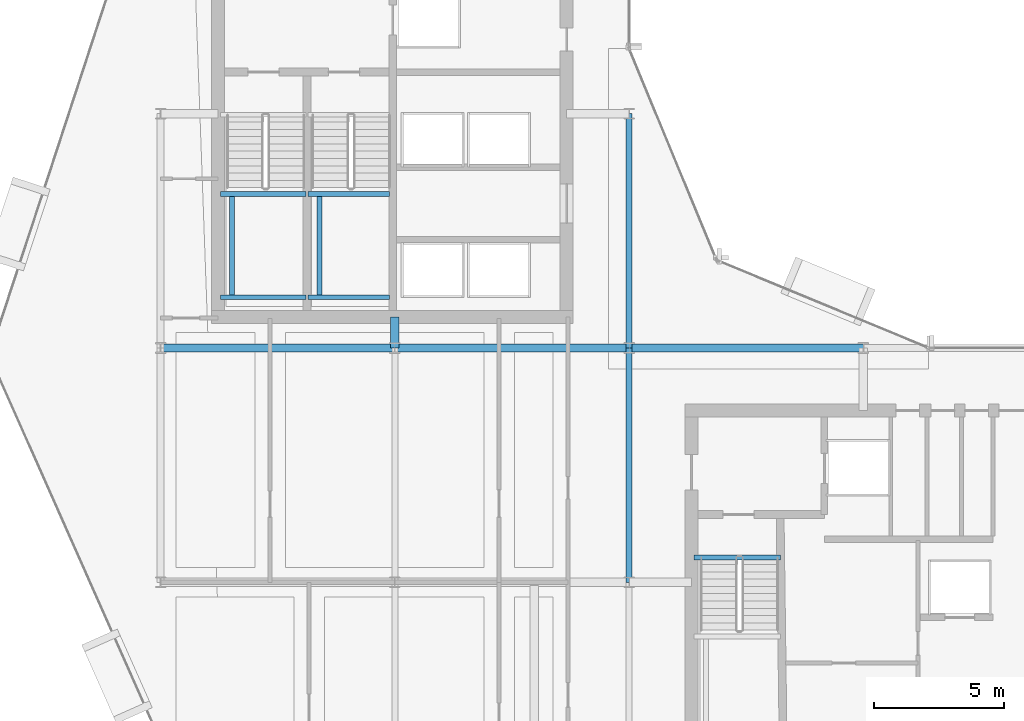
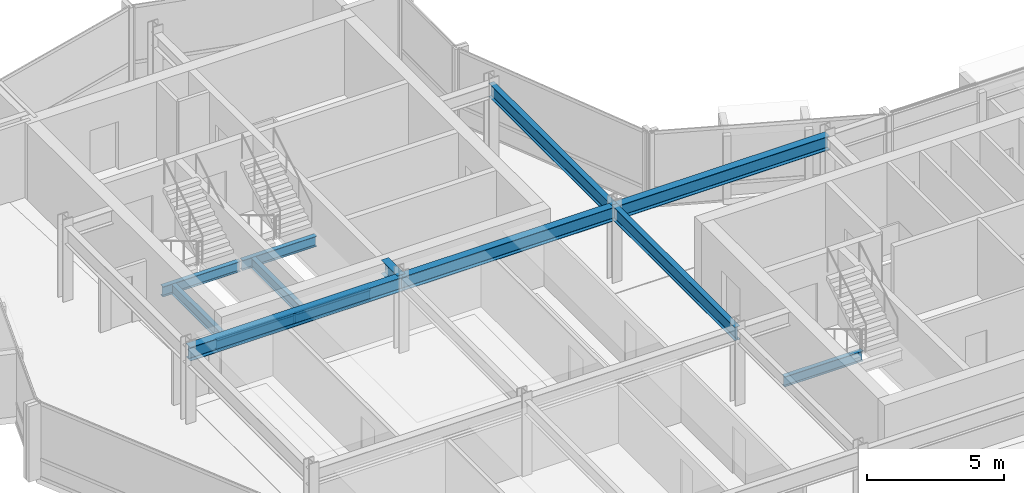
# One storey, part 7 of 27: 13 beams.
"""IFC4 building model written with IfcOpenShell, lengths in metres."""

from ifc_helpers import new_model, si_unit, direction, frame, origin, origin_2d, place, context, subcontext, project, spatial, i_section, extrude, material, material_profile, profile_set, type_object, element, save


model = new_model("IFC4")

# Units and contexts
model_context = context("Model", 3, precision=1e-05, world=origin(), true_north=direction((0.0, 1.0)))
body_context = subcontext(model_context, "Body", "Model", "MODEL_VIEW")
ifc_project = project(units=[si_unit("LENGTHUNIT", "METRE"), si_unit("AREAUNIT", "SQUARE_METRE"), si_unit("VOLUMEUNIT", "CUBIC_METRE"), si_unit("PLANEANGLEUNIT", "RADIAN"), si_unit("MASSUNIT", "GRAM", prefix="KILO")], contexts=[model_context])

# Site, building, storey
site_placement = place(None, origin())
site = spatial("IfcSite", under=ifc_project, at=site_placement, CompositionType="ELEMENT")
building_placement = place(site_placement, origin())
building = spatial("IfcBuilding", under=site, at=building_placement, Name="Solvaryn Broadcast Tower", CompositionType="ELEMENT")
storey_placement = place(building_placement, frame((0.0, 0.0, 192.699951171875)))
storey = spatial("IfcBuildingStorey", under=building, at=storey_placement, Name="L48", CompositionType="ELEMENT", Elevation=192.699951171875)

# Beams
ifc_material_1 = material(Name="Steel ASTM A992 Grade 50", Category="steel")
ifc_material_profile_1 = material_profile(ifc_material_1, i_section(OverallWidth=0.323974609375, OverallDepth=0.611083984375, WebThickness=0.0126953125, FlangeThickness=0.01904296875, FilletRadius=0.014892578125, at=origin_2d()))
ifc_profile_set_1 = profile_set([ifc_material_profile_1], Name="Steel ASTM A992 Grade 50")
beam_type_1 = type_object("IfcBeamType", Name="BM-B1-W24X104", PredefinedType="BEAM", material=ifc_profile_set_1)
for number, where, z_axis, x_axis, name in (
    (1, (9.0, 27.0, 3.064453125), (1.0, 0.0, 0.0), (0.0, 1.0, 0.0), "L48 Primary Beam X (9-18 @ Y=27)"),
    (2, (18.0, 27.0, 3.064453125), (1.0, 0.0, 0.0), (0.0, 1.0, 0.0), "L48 Primary Beam X (18-27 @ Y=27)"),
    (3, (27.0, 27.0, 3.064453125), (1.0, 0.0, 0.0), (0.0, 1.0, 0.0), "L48 Primary Beam X (27-36 @ Y=27)"),
):
    element("IfcBeam", number, at=place(storey_placement, frame(where, z_axis=z_axis, x_axis=x_axis)), inside=storey, type_object=beam_type_1, Name=name, PredefinedType="BEAM", context=body_context, shape_type="SweptSolid", body=[
        extrude(i_section(OverallWidth=0.323974609375, OverallDepth=0.611083984375, WebThickness=0.0126953125, FlangeThickness=0.01904296875, FilletRadius=0.014892578125, at=origin_2d()), origin(), (0.0, 0.0, 1.0), 9.0),
    ])
beam_1_placement = place(storey_placement, frame((18.0, 27.0, 3.064453125), z_axis=(0.0, 1.0, 0.0), x_axis=(-1.0, 0.0, 0.0)))
element("IfcBeam", 4, at=beam_1_placement, inside=storey, type_object=beam_type_1, Name="L48 Core Tie Beam CTW4", PredefinedType="BEAM", context=body_context, shape_type="SweptSolid", body=[
    extrude(i_section(OverallWidth=0.323974609375, OverallDepth=0.611083984375, WebThickness=0.0126953125, FlangeThickness=0.01904296875, FilletRadius=0.014892578125, at=origin_2d()), origin(), (0.0, 0.0, 1.0), 1.199951171875),
])
ifc_material_2 = material(Name="Steel ASTM A992 Grade 50", Category="steel")
ifc_material_profile_2 = material_profile(ifc_material_2, i_section(OverallWidth=0.22802734375, OverallDepth=0.60791015625, WebThickness=0.01123046875, FlangeThickness=0.017333984375, FilletRadius=0.014892578125, at=origin_2d()))
ifc_profile_set_2 = profile_set([ifc_material_profile_2], Name="Steel ASTM A992 Grade 50")
beam_type_2 = type_object("IfcBeamType", Name="BM-B2-W24X76", PredefinedType="BEAM", material=ifc_profile_set_2)
for number, where, z_axis, x_axis, name in (
    (5, (27.0, 18.0, 3.066162109375), (0.0, 1.0, 0.0), (-1.0, 0.0, 0.0), "L48 Primary Beam Y (18-27 @ X=27)"),
    (6, (27.0, 27.0, 3.066162109375), (0.0, 1.0, 0.0), (-1.0, 0.0, 0.0), "L48 Primary Beam Y (27-36 @ X=27)"),
):
    element("IfcBeam", number, at=place(storey_placement, frame(where, z_axis=z_axis, x_axis=x_axis)), inside=storey, type_object=beam_type_2, Name=name, PredefinedType="BEAM", context=body_context, shape_type="SweptSolid", body=[
        extrude(i_section(OverallWidth=0.22802734375, OverallDepth=0.60791015625, WebThickness=0.01123046875, FlangeThickness=0.017333984375, FilletRadius=0.014892578125, at=origin_2d()), origin(), (0.0, 0.0, 1.0), 9.0),
    ])
ifc_material_3 = material(Name="Steel ASTM A992 Grade 50", Category="steel")
ifc_material_profile_3 = material_profile(ifc_material_3, i_section(OverallWidth=0.18994140625, OverallDepth=0.45703125, WebThickness=0.009033203125, FlangeThickness=0.014404296875, FilletRadius=0.011962890625, at=origin_2d()))
ifc_profile_set_3 = profile_set([ifc_material_profile_3], Name="Steel ASTM A992 Grade 50")
beam_type_3 = type_object("IfcBeamType", Name="BM-B4-W18X50", PredefinedType="BEAM", material=ifc_profile_set_3)
for number, where, z_axis, x_axis, name in (
    (7, (11.300048828125, 28.949951171875, 1.421630859375), (1.0, 0.0, 0.0), (0.0, 1.0, 0.0), "L48 ST1 Landing Support Beam 1A"),
    (8, (11.300048828125, 32.909912109375, 1.421630859375), (1.0, 0.0, 0.0), (0.0, 1.0, 0.0), "L48 ST1 Landing Support Beam 1B"),
):
    element("IfcBeam", number, at=place(storey_placement, frame(where, z_axis=z_axis, x_axis=x_axis)), inside=storey, type_object=beam_type_3, Name=name, PredefinedType="BEAM", context=body_context, shape_type="SweptSolid", body=[
        extrude(i_section(OverallWidth=0.18994140625, OverallDepth=0.45703125, WebThickness=0.009033203125, FlangeThickness=0.014404296875, FilletRadius=0.011962890625, at=origin_2d()), origin(), (0.0, 0.0, 1.0), 3.280029296875),
    ])
beam_2_placement = place(storey_placement, frame((11.75, 28.949951171875, 1.421630859375), z_axis=(0.0, 1.0, 0.0), x_axis=(-1.0, 0.0, 0.0)))
element("IfcBeam", 9, at=beam_2_placement, inside=storey, type_object=beam_type_3, Name="L48 ST1 Landing Cross Stringer 1C", PredefinedType="BEAM", context=body_context, shape_type="SweptSolid", body=[
    extrude(i_section(OverallWidth=0.18994140625, OverallDepth=0.45703125, WebThickness=0.009033203125, FlangeThickness=0.014404296875, FilletRadius=0.011962890625, at=origin_2d()), origin(), (0.0, 0.0, 1.0), 3.9599609375),
])
for number, where, z_axis, x_axis, name in (
    (10, (14.659912109375, 28.949951171875, 1.421630859375), (1.0, 0.0, 0.0), (0.0, 1.0, 0.0), "L48 ST2 Landing Support Beam 1A"),
    (11, (14.659912109375, 32.909912109375, 1.421630859375), (1.0, 0.0, 0.0), (0.0, 1.0, 0.0), "L48 ST2 Landing Support Beam 1B"),
):
    element("IfcBeam", number, at=place(storey_placement, frame(where, z_axis=z_axis, x_axis=x_axis)), inside=storey, type_object=beam_type_3, Name=name, PredefinedType="BEAM", context=body_context, shape_type="SweptSolid", body=[
        extrude(i_section(OverallWidth=0.18994140625, OverallDepth=0.45703125, WebThickness=0.009033203125, FlangeThickness=0.014404296875, FilletRadius=0.011962890625, at=origin_2d()), origin(), (0.0, 0.0, 1.0), 3.14013671875),
    ])
beam_3_placement = place(storey_placement, frame((15.110107421875, 28.949951171875, 1.421630859375), z_axis=(0.0, 1.0, 0.0), x_axis=(-1.0, 0.0, 0.0)))
element("IfcBeam", 12, at=beam_3_placement, inside=storey, type_object=beam_type_3, Name="L48 ST2 Landing Cross Stringer 1C", PredefinedType="BEAM", context=body_context, shape_type="SweptSolid", body=[
    extrude(i_section(OverallWidth=0.18994140625, OverallDepth=0.45703125, WebThickness=0.009033203125, FlangeThickness=0.014404296875, FilletRadius=0.011962890625, at=origin_2d()), origin(), (0.0, 0.0, 1.0), 3.9599609375),
])
beam_4_placement = place(storey_placement, frame((29.5, 18.9599609375, -0.508544921875), z_axis=(1.0, 0.0, 0.0), x_axis=(0.0, 1.0, 0.0)))
element("IfcBeam", 13, at=beam_4_placement, inside=storey, type_object=beam_type_3, Name="L48 ST3 Stair Well Trimmer Beam", PredefinedType="BEAM", context=body_context, shape_type="SweptSolid", body=[
    extrude(i_section(OverallWidth=0.18994140625, OverallDepth=0.45703125, WebThickness=0.009033203125, FlangeThickness=0.014404296875, FilletRadius=0.011962890625, at=origin_2d()), origin(), (0.0, 0.0, 1.0), 3.320068359375),
])

save(model, "model.ifc")
